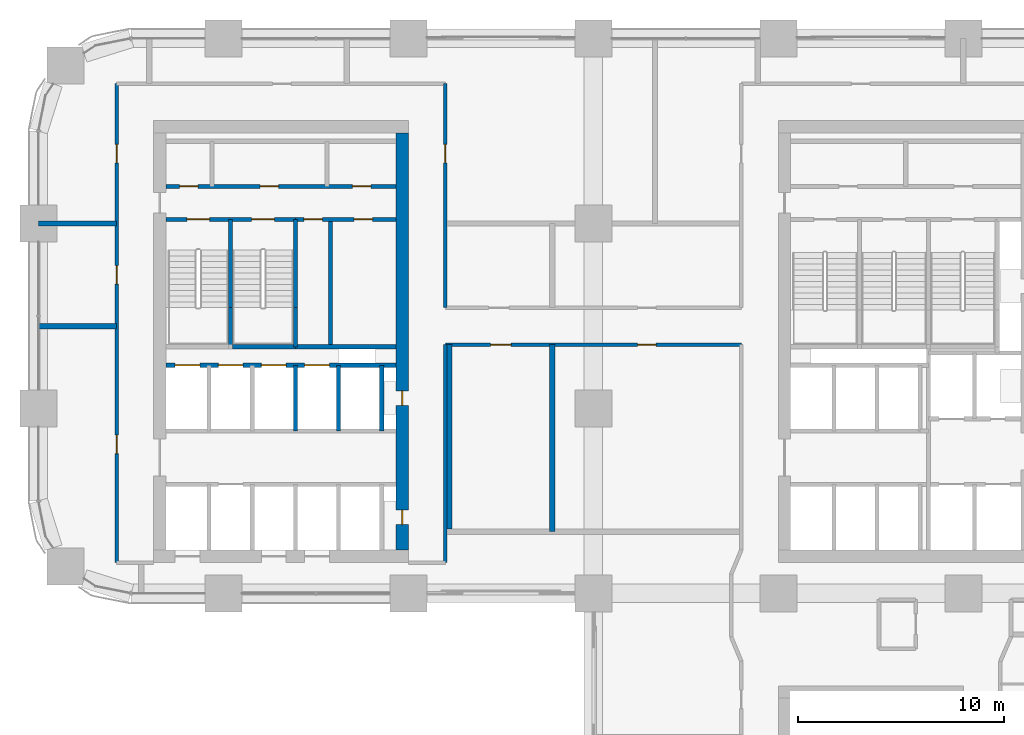
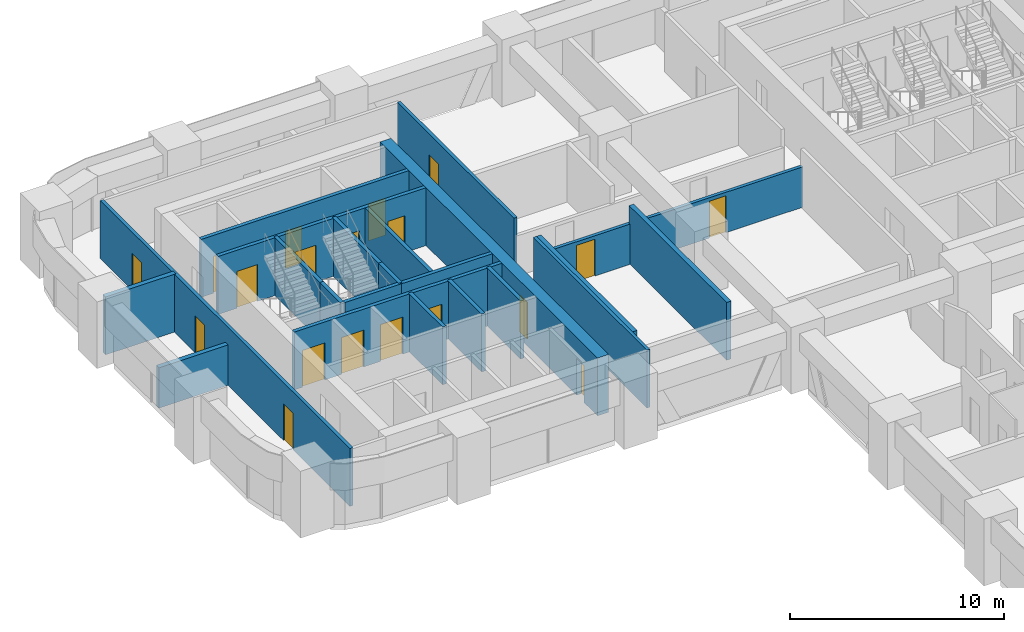
# One storey, part 15 of 20: 23 walls, 19 doors, 19 openings.
"""IFC4 building model written with IfcOpenShell, lengths in metres."""

import ifcopenshell
import ifcopenshell.guid

model = None  # the IFC model being written
_history = None  # IfcOwnerHistory: only IFC2X3 demands one
_inside = {}  # id of a spatial element -> (the spatial element, [elements in it])
_under = {}  # id of a project, library or spatial element -> (it, [spatial elements below it])
_declared = {}  # id of a project -> (the project, [libraries it declares])
_typed = {}  # id of a type object -> (the type object, [elements of that type])
_made_of = {}  # id of a material, layer set ... -> (it, [elements and type objects made of it])


def new_model(schema):
    """Start an empty IFC model of exactly this schema.

    Asked for "IFC4X3", IfcOpenShell would pick the latest addendum, in which some entities
    have other attributes; the version numbers below select the first issue.
    IFC2X3 requires an IfcOwnerHistory on every rooted entity: one is made here for all.
    """
    global model, _history
    if schema == "IFC4X3":
        model = ifcopenshell.file(schema_version=(4, 3, 0, 0))
    else:
        model = ifcopenshell.file(schema=schema)
    _inside.clear()
    _under.clear()
    _declared.clear()
    _typed.clear()
    _made_of.clear()
    _history = None
    if model.schema == "IFC2X3":
        org = make("IfcOrganization", Name="unknown")
        user = make(
            "IfcPersonAndOrganization",
            ThePerson=make("IfcPerson", FamilyName="unknown"),
            TheOrganization=org,
        )
        app = make(
            "IfcApplication",
            ApplicationDeveloper=org,
            Version="unknown",
            ApplicationFullName="unknown",
            ApplicationIdentifier="unknown",
        )
        _history = make(
            "IfcOwnerHistory",
            OwningUser=user,
            OwningApplication=app,
            ChangeAction="ADDED",
            CreationDate=0,
        )
    return model


def make(cls, **values):
    """One entity of the class cls with the attributes given. An attribute that is None is left unset."""
    return model.create_entity(
        cls, **{name: value for name, value in values.items() if value is not None}
    )


def rooted(cls, **values):
    """An entity with a GlobalId (a new one), such as an element, a storey or a relation."""
    return make(cls, GlobalId=ifcopenshell.guid.new(), OwnerHistory=_history, **values)


def si_unit(unit_type, name, prefix=None):
    """IfcSIUnit, for example si_unit("LENGTHUNIT", "METRE", prefix="MILLI")."""
    return make("IfcSIUnit", UnitType=unit_type, Prefix=prefix, Name=name)


def assignment(units):
    """IfcUnitAssignment: the units of a project."""
    return None if units is None else make("IfcUnitAssignment", Units=units)


def point(xyz):
    """IfcCartesianPoint."""
    return None if xyz is None else make("IfcCartesianPoint", Coordinates=xyz)


def direction(xyz):
    """IfcDirection."""
    return None if xyz is None else make("IfcDirection", DirectionRatios=xyz)


def frame(location, z_axis=None, x_axis=None):
    """IfcAxis2Placement3D, a coordinate frame: its origin and axes. An axis left out is left unset."""
    return make(
        "IfcAxis2Placement3D",
        Location=point(location),
        Axis=direction(z_axis),
        RefDirection=direction(x_axis),
    )


def frame_2d(location, x_axis=None):
    """IfcAxis2Placement2D, a coordinate frame in the plane: its origin and x axis."""
    return make(
        "IfcAxis2Placement2D", Location=point(location), RefDirection=direction(x_axis)
    )


def origin():
    """The frame at (0, 0, 0) with its axes left unset."""
    return frame((0.0, 0.0, 0.0))


def place(relative_to, where):
    """IfcLocalPlacement: puts the frame where relative to a parent placement (None: the world)."""
    return make(
        "IfcLocalPlacement", PlacementRelTo=relative_to, RelativePlacement=where
    )


def context(
    kind, dimensions, precision=None, world=None, true_north=None, identifier=None
):
    """IfcGeometricRepresentationContext, for example the 3D "Model" context."""
    return make(
        "IfcGeometricRepresentationContext",
        ContextIdentifier=identifier,
        ContextType=kind,
        CoordinateSpaceDimension=dimensions,
        Precision=precision,
        WorldCoordinateSystem=world,
        TrueNorth=true_north,
    )


def subcontext(parent, identifier, kind, view, scale=None):
    """IfcGeometricRepresentationSubContext, for example "Body" below "Model"."""
    return make(
        "IfcGeometricRepresentationSubContext",
        ContextIdentifier=identifier,
        ContextType=kind,
        ParentContext=parent,
        TargetScale=scale,
        TargetView=view,
    )


def project(units=None, contexts=None):
    """IfcProject with its units and contexts."""
    return rooted(
        "IfcProject",
        Name="project",
        RepresentationContexts=contexts,
        UnitsInContext=assignment(units),
    )


def spatial(cls, under=None, at=None, **own):
    """A site, building, storey or space (cls), placed at a placement, below another one or the project."""
    s = rooted(cls, ObjectPlacement=at, **own)
    if under is not None:
        _under.setdefault(under.id(), (under, []))[1].append(s)
    return s


def profile(cls, at=None, kind="AREA", **sizes):
    """A parametric profile (cls). Its sizes go by their IFC names, for example OverallWidth=200.0."""
    return make(cls, ProfileType=kind, Position=at, **sizes)


def rectangle(**sizes):
    """IfcRectangleProfileDef."""
    return profile("IfcRectangleProfileDef", **sizes)


def extrude(swept, where, along, depth):
    """IfcExtrudedAreaSolid: the profile swept, set in the frame where, extruded along a direction by depth."""
    return make(
        "IfcExtrudedAreaSolid",
        SweptArea=swept,
        Position=where,
        ExtrudedDirection=direction(along),
        Depth=depth,
    )


def shape(context_of_items, identifier, shape_type, items):
    """IfcShapeRepresentation: the items that make up one representation, for example the "Body"."""
    return make(
        "IfcShapeRepresentation",
        ContextOfItems=context_of_items,
        RepresentationIdentifier=identifier,
        RepresentationType=shape_type,
        Items=items,
    )


def material(Name=None, Category=None):
    """IfcMaterial."""
    return make("IfcMaterial", Name=Name, Category=Category)


def layer(
    of_material, thickness, ventilated=None, Name=None, Category=None, Priority=None
):
    """IfcMaterialLayer: one layer of a wall or slab, of a material (None: an air gap)."""
    return make(
        "IfcMaterialLayer",
        Material=of_material,
        LayerThickness=thickness,
        IsVentilated=ventilated,
        Name=Name,
        Category=Category,
        Priority=Priority,
    )


def layer_set(layers, Name=None):
    """IfcMaterialLayerSet."""
    return make("IfcMaterialLayerSet", MaterialLayers=layers, LayerSetName=Name)


def made_of(thing, what):
    """Note that an element or type object is made of a material, layer set ...; save() writes the relation."""
    if what is not None:
        _made_of.setdefault(what.id(), (what, []))[1].append(thing)
    return thing


def type_object(cls, material=None, **own):
    """A type object (cls), such as IfcWallType, which elements share."""
    return made_of(rooted(cls, **own), material)


def element(
    cls,
    number,
    at=None,
    inside=None,
    cuts=None,
    type_object=None,
    material=None,
    context=None,
    identifier="Body",
    shape_type=None,
    held_by="IfcProductDefinitionShape",
    body=None,
    shapes=None,
    **own,
):
    """One element of the class cls, such as IfcWall. Its Tag is "e" and its number.

    at: its placement. inside: the storey or other place that contains it. cuts: it is an
    opening in that element (IfcRelVoidsElement). A single representation is given by context,
    identifier, shape_type and body (its items); several are given by shapes. held_by: the class
    of the entity that holds the representations. save() writes the other relations.
    """
    e = rooted(cls, Tag="e%d" % number, ObjectPlacement=at, **own)
    if body is not None:
        shapes = [shape(context, identifier, shape_type, body)]
    if shapes is not None:
        e.Representation = make(held_by, Representations=shapes)
    if inside is not None:
        _inside.setdefault(inside.id(), (inside, []))[1].append(e)
    if cuts is not None:
        rooted(
            "IfcRelVoidsElement", RelatingBuildingElement=cuts, RelatedOpeningElement=e
        )
    if type_object is not None:
        _typed.setdefault(type_object.id(), (type_object, []))[1].append(e)
    return made_of(e, material)


def fill(opening, filler):
    """IfcRelFillsElement: the door or window that sits in an opening."""
    return rooted(
        "IfcRelFillsElement",
        RelatingOpeningElement=opening,
        RelatedBuildingElement=filler,
    )


def aggregate(whole, parts):
    """IfcRelAggregates: a whole, such as a stair, and the parts it consists of."""
    return rooted("IfcRelAggregates", RelatingObject=whole, RelatedObjects=parts)


def save(model, path):
    """Write the relations noted so far, then the file.

    IfcRelAggregates (storeys below a building ...), IfcRelContainedInSpatialStructure (elements
    in a storey), IfcRelDefinesByType, IfcRelAssociatesMaterial and IfcRelDeclares: one each for
    every whole, place, type object, material and project.
    """
    for whole, parts in _under.values():
        aggregate(whole, parts)
    for where, things in _inside.values():
        rooted(
            "IfcRelContainedInSpatialStructure",
            RelatedElements=things,
            RelatingStructure=where,
        )
    for kind, things in _typed.values():
        rooted("IfcRelDefinesByType", RelatedObjects=things, RelatingType=kind)
    for what, things in _made_of.values():
        rooted("IfcRelAssociatesMaterial", RelatedObjects=things, RelatingMaterial=what)
    for by, libraries in _declared.values():
        rooted("IfcRelDeclares", RelatingContext=by, RelatedDefinitions=libraries)
    model.write(path)


model = new_model("IFC4")

# Units and contexts
model_context = context("Model", 3, precision=1e-05, world=origin(), true_north=direction((0.0, 1.0)))
body_context = subcontext(model_context, "Body", "Model", "MODEL_VIEW")
ifc_project = project(units=[si_unit("LENGTHUNIT", "METRE"), si_unit("AREAUNIT", "SQUARE_METRE"), si_unit("VOLUMEUNIT", "CUBIC_METRE"), si_unit("PLANEANGLEUNIT", "RADIAN"), si_unit("MASSUNIT", "GRAM", prefix="KILO")], contexts=[model_context])

# Site, building, storey
site_placement = place(None, origin())
site = spatial("IfcSite", under=ifc_project, at=site_placement, CompositionType="ELEMENT")
building_placement = place(site_placement, origin())
building = spatial("IfcBuilding", under=site, at=building_placement, Name="Tessera Arch", CompositionType="ELEMENT")
storey_placement = place(building_placement, frame((0.0, 0.0, 119.60009765625)))
storey = spatial("IfcBuildingStorey", under=building, at=storey_placement, Name="L28", CompositionType="ELEMENT", Elevation=119.60009765625)

# Wall
ifc_material_1 = material(Name="Gypsum board on steel stud", Category="steel")
ifc_layer_1 = layer(ifc_material_1, 0.125)
ifc_layer_set_1 = layer_set([ifc_layer_1], Name="Core partition 125 EI 60")
wall_type_1 = type_object("IfcWallType", Name="Core partition 125 EI 60", PredefinedType="PARTITIONING", material=ifc_layer_set_1)
wall_1_placement = place(storey_placement, frame((14.215087890625, 39.0, 0.0), z_axis=(0.0, 0.0, 1.0), x_axis=(0.0, 1.0, 0.0)))
element("IfcWall", 1, at=wall_1_placement, inside=storey, type_object=wall_type_1, Name="L28 C2 partition wall 13", PredefinedType="PARTITIONING", context=body_context, shape_type="SweptSolid", body=[
    extrude(rectangle(XDim=6.199951171875, YDim=0.199951171875, at=frame_2d((3.10009765625, 0.0))), origin(), (0.0, 0.0, 1.0), 3.2998046875),
])

# Wall, openings, doors
wall_2_placement = place(storey_placement, frame((12.5, 45.199951171875, 0.0), z_axis=(0.0, 0.0, 1.0), x_axis=(1.0, 0.0, 0.0)))
wall_2 = element("IfcWall", 2, at=wall_2_placement, inside=storey, type_object=wall_type_1, Name="L28 C2 partition wall 25", PredefinedType="PARTITIONING", context=body_context, shape_type="SweptSolid", body=[
    extrude(rectangle(XDim=4.89990234375, YDim=0.199951171875, at=frame_2d((2.449951171875, 0.0))), origin(), (0.0, 0.0, 1.0), 3.2998046875),
])
opening_1_placement = place(wall_2_placement, frame((0.407470703125, 0.0, 0.0)))
opening_1 = element("IfcOpeningElement", 3, at=opening_1_placement, cuts=wall_2, Name="Opening L28-C31", PredefinedType="OPENING", context=body_context, shape_type="SweptSolid", body=[
    extrude(rectangle(XDim=0.89990234375, YDim=2.10009765625, at=frame_2d((0.449951171875, 1.050048828125))), frame((0.0, 0.10986328125, 0.0), z_axis=(0.0, -1.0, 0.0), x_axis=(1.0, 0.0, 0.0)), (0.0, 0.0, 1.0), 0.219970703125),
])
opening_2_placement = place(wall_2_placement, frame((2.857421875, 0.0, 0.0)))
opening_2 = element("IfcOpeningElement", 4, at=opening_2_placement, cuts=wall_2, Name="Opening L28-C32", PredefinedType="OPENING", context=body_context, shape_type="SweptSolid", body=[
    extrude(rectangle(XDim=0.89990234375, YDim=2.10009765625, at=frame_2d((0.449951171875, 1.050048828125))), frame((0.0, 0.10986328125, 0.0), z_axis=(0.0, -1.0, 0.0), x_axis=(1.0, 0.0, 0.0)), (0.0, 0.0, 1.0), 0.219970703125),
])
ifc_material_2 = material(Name="Steel door leaf", Category="steel")
door_type_1 = type_object("IfcDoorType", Name="Store door FD30S 900 x 2100", OperationType="SINGLE_SWING_LEFT", PredefinedType="DOOR", material=ifc_material_2)
door_1_placement = place(opening_1_placement, origin())
door_1 = element("IfcDoor", 5, at=door_1_placement, inside=storey, type_object=door_type_1, Name="L28 C2 door 18 C31 type D09", OperationType="SINGLE_SWING_LEFT", OverallHeight=2.10009765625, OverallWidth=0.89990234375, PredefinedType="DOOR", context=body_context, shape_type="SweptSolid", body=[
    extrude(rectangle(XDim=0.89990234375, YDim=2.10009765625, at=frame_2d((0.449951171875, 1.050048828125))), frame((0.0, 0.02490234375, 0.0), z_axis=(0.0, -1.0, 0.0), x_axis=(1.0, 0.0, 0.0)), (0.0, 0.0, 1.0), 0.050048828125),
])
fill(opening_1, door_1)
door_2_placement = place(opening_2_placement, origin())
door_2 = element("IfcDoor", 6, at=door_2_placement, inside=storey, type_object=door_type_1, Name="L28 C2 door 19 C32 type D09", OperationType="SINGLE_SWING_RIGHT", OverallHeight=2.10009765625, OverallWidth=0.89990234375, PredefinedType="DOOR", context=body_context, shape_type="SweptSolid", body=[
    extrude(rectangle(XDim=0.89990234375, YDim=2.10009765625, at=frame_2d((0.449951171875, 1.050048828125))), frame((0.0, 0.02490234375, 0.0), z_axis=(0.0, -1.0, 0.0), x_axis=(1.0, 0.0, 0.0)), (0.0, 0.0, 1.0), 0.050048828125),
])
fill(opening_2, door_2)

wall_3_placement = place(storey_placement, frame((6.199951171875, 46.800048828125, 0.0), z_axis=(0.0, 0.0, 1.0), x_axis=(1.0, 0.0, 0.0)))
wall_3 = element("IfcWall", 7, at=wall_3_placement, inside=storey, type_object=wall_type_1, Name="L28 C2 partition wall 27", PredefinedType="PARTITIONING", context=body_context, shape_type="SweptSolid", body=[
    extrude(rectangle(XDim=11.199951171875, YDim=0.199951171875, at=frame_2d((5.60009765625, 0.0))), origin(), (0.0, 0.0, 1.0), 3.2998046875),
])
opening_3_placement = place(wall_3_placement, frame((0.669921875, 0.0, 0.0)))
opening_3 = element("IfcOpeningElement", 8, at=opening_3_placement, cuts=wall_3, Name="Opening L28-C28", PredefinedType="OPENING", context=body_context, shape_type="SweptSolid", body=[
    extrude(rectangle(XDim=0.89990234375, YDim=2.10009765625, at=frame_2d((0.449951171875, 1.050048828125))), frame((0.0, 0.10986328125, 0.0), z_axis=(0.0, -1.0, 0.0), x_axis=(1.0, 0.0, 0.0)), (0.0, 0.0, 1.0), 0.219970703125),
])
opening_4_placement = place(wall_3_placement, frame((4.590087890625, 0.0, 0.0)))
opening_4 = element("IfcOpeningElement", 9, at=opening_4_placement, cuts=wall_3, Name="Opening L28-C29", PredefinedType="OPENING", context=body_context, shape_type="SweptSolid", body=[
    extrude(rectangle(XDim=0.89990234375, YDim=2.10009765625, at=frame_2d((0.449951171875, 1.050048828125))), frame((0.0, 0.10986328125, 0.0), z_axis=(0.0, -1.0, 0.0), x_axis=(1.0, 0.0, 0.0)), (0.0, 0.0, 1.0), 0.219970703125),
])
opening_5_placement = place(wall_3_placement, frame((9.070068359375, 0.0, 0.0)))
opening_5 = element("IfcOpeningElement", 10, at=opening_5_placement, cuts=wall_3, Name="Opening L28-C30", PredefinedType="OPENING", context=body_context, shape_type="SweptSolid", body=[
    extrude(rectangle(XDim=0.89990234375, YDim=2.10009765625, at=frame_2d((0.449951171875, 1.050048828125))), frame((0.0, 0.10986328125, 0.0), z_axis=(0.0, -1.0, 0.0), x_axis=(1.0, 0.0, 0.0)), (0.0, 0.0, 1.0), 0.219970703125),
])
door_3_placement = place(opening_3_placement, origin())
door_3 = element("IfcDoor", 11, at=door_3_placement, inside=storey, type_object=door_type_1, Name="L28 C2 door 15 C28 type D09", OperationType="SINGLE_SWING_LEFT", OverallHeight=2.10009765625, OverallWidth=0.89990234375, PredefinedType="DOOR", context=body_context, shape_type="SweptSolid", body=[
    extrude(rectangle(XDim=0.89990234375, YDim=2.10009765625, at=frame_2d((0.449951171875, 1.050048828125))), frame((0.0, 0.02490234375, 0.0), z_axis=(0.0, -1.0, 0.0), x_axis=(1.0, 0.0, 0.0)), (0.0, 0.0, 1.0), 0.050048828125),
])
fill(opening_3, door_3)
door_4_placement = place(opening_4_placement, origin())
door_4 = element("IfcDoor", 12, at=door_4_placement, inside=storey, type_object=door_type_1, Name="L28 C2 door 16 C29 type D09", OperationType="SINGLE_SWING_LEFT", OverallHeight=2.10009765625, OverallWidth=0.89990234375, PredefinedType="DOOR", context=body_context, shape_type="SweptSolid", body=[
    extrude(rectangle(XDim=0.89990234375, YDim=2.10009765625, at=frame_2d((0.449951171875, 1.050048828125))), frame((0.0, 0.02490234375, 0.0), z_axis=(0.0, -1.0, 0.0), x_axis=(1.0, 0.0, 0.0)), (0.0, 0.0, 1.0), 0.050048828125),
])
fill(opening_4, door_4)
door_5_placement = place(opening_5_placement, origin())
door_5 = element("IfcDoor", 13, at=door_5_placement, inside=storey, type_object=door_type_1, Name="L28 C2 door 17 C30 type D09", OperationType="SINGLE_SWING_RIGHT", OverallHeight=2.10009765625, OverallWidth=0.89990234375, PredefinedType="DOOR", context=body_context, shape_type="SweptSolid", body=[
    extrude(rectangle(XDim=0.89990234375, YDim=2.10009765625, at=frame_2d((0.449951171875, 1.050048828125))), frame((0.0, 0.02490234375, 0.0), z_axis=(0.0, -1.0, 0.0), x_axis=(1.0, 0.0, 0.0)), (0.0, 0.0, 1.0), 0.050048828125),
])
fill(opening_5, door_5)

ifc_material_3 = material(Name="Concrete C70/85", Category="concrete")
ifc_layer_2 = layer(ifc_material_3, 0.60009765625)
ifc_layer_set_2 = layer_set([ifc_layer_2], Name="Core shell wall 600 C70-85")
wall_type_2 = type_object("IfcWallType", Name="Core shell wall 600 C70-85", PredefinedType="SHEAR", material=ifc_layer_set_2)
wall_4_placement = place(storey_placement, frame((17.699951171875, 29.10009765625, 0.0), z_axis=(0.0, 0.0, 1.0), x_axis=(0.0, 1.0, 0.0)))
wall_4 = element("IfcWall", 14, at=wall_4_placement, inside=storey, type_object=wall_type_2, Name="L28 C2 core wall E", PredefinedType="SHEAR", context=body_context, shape_type="SweptSolid", body=[
    extrude(rectangle(XDim=20.2998046875, YDim=0.60009765625, at=frame_2d((10.14990234375, 0.0))), origin(), (0.0, 0.0, 1.0), 3.2998046875),
])
opening_6_placement = place(wall_4_placement, frame((1.25, 0.0, 0.0)))
opening_6 = element("IfcOpeningElement", 15, at=opening_6_placement, cuts=wall_4, Name="Opening L28-C22", PredefinedType="OPENING", context=body_context, shape_type="SweptSolid", body=[
    extrude(rectangle(XDim=0.699951171875, YDim=2.10009765625, at=frame_2d((0.35009765625, 1.050048828125))), frame((0.0, 0.31005859375, 0.0), z_axis=(0.0, -1.0, 0.0), x_axis=(1.0, 0.0, 0.0)), (0.0, 0.0, 1.0), 0.6201171875),
])
opening_7_placement = place(wall_4_placement, frame((7.050048828125, 0.0, 0.0)))
opening_7 = element("IfcOpeningElement", 16, at=opening_7_placement, cuts=wall_4, Name="Opening L28-C23", PredefinedType="OPENING", context=body_context, shape_type="SweptSolid", body=[
    extrude(rectangle(XDim=0.699951171875, YDim=2.10009765625, at=frame_2d((0.35009765625, 1.050048828125))), frame((0.0, 0.31005859375, 0.0), z_axis=(0.0, -1.0, 0.0), x_axis=(1.0, 0.0, 0.0)), (0.0, 0.0, 1.0), 0.6201171875),
])
ifc_material_4 = material(Name="Steel door leaf", Category="steel")
door_type_2 = type_object("IfcDoorType", Name="Service shaft door FD60 700 x 2100", OperationType="SINGLE_SWING_LEFT", PredefinedType="DOOR", material=ifc_material_4)
door_6_placement = place(opening_6_placement, origin())
door_6 = element("IfcDoor", 17, at=door_6_placement, inside=storey, type_object=door_type_2, Name="L28 C2 door 9 C22 type D07", OperationType="SINGLE_SWING_LEFT", OverallHeight=2.10009765625, OverallWidth=0.699951171875, PredefinedType="DOOR", context=body_context, shape_type="SweptSolid", body=[
    extrude(rectangle(XDim=0.699951171875, YDim=2.10009765625, at=frame_2d((0.35009765625, 1.050048828125))), frame((0.0, 0.02490234375, 0.0), z_axis=(0.0, -1.0, 0.0), x_axis=(1.0, 0.0, 0.0)), (0.0, 0.0, 1.0), 0.050048828125),
])
fill(opening_6, door_6)
door_7_placement = place(opening_7_placement, origin())
door_7 = element("IfcDoor", 18, at=door_7_placement, inside=storey, type_object=door_type_2, Name="L28 C2 door 10 C23 type D07", OperationType="SINGLE_SWING_LEFT", OverallHeight=2.10009765625, OverallWidth=0.699951171875, PredefinedType="DOOR", context=body_context, shape_type="SweptSolid", body=[
    extrude(rectangle(XDim=0.699951171875, YDim=2.10009765625, at=frame_2d((0.35009765625, 1.050048828125))), frame((0.0, 0.02490234375, 0.0), z_axis=(0.0, -1.0, 0.0), x_axis=(1.0, 0.0, 0.0)), (0.0, 0.0, 1.0), 0.050048828125),
])
fill(opening_7, door_7)

ifc_material_5 = material(Name="Gypsum board on deep steel stud with mineral wool", Category="steel")
ifc_layer_3 = layer(ifc_material_5, 0.175048828125)
ifc_layer_set_3 = layer_set([ifc_layer_3], Name="Corridor wall 175 EI 60")
wall_type_3 = type_object("IfcWallType", Name="Corridor wall 175 EI 60", PredefinedType="PARTITIONING", material=ifc_layer_set_3)
wall_5_placement = place(storey_placement, frame((19.800048828125, 39.10009765625, 0.0), z_axis=(0.0, 0.0, 1.0), x_axis=(1.0, 0.0, 0.0)))
wall_5 = element("IfcWall", 19, at=wall_5_placement, inside=storey, type_object=wall_type_3, Name="L28 partition 7", PredefinedType="PARTITIONING", context=body_context, shape_type="SweptSolid", body=[
    extrude(rectangle(XDim=14.39990234375, YDim=0.175048828125, at=frame_2d((7.199951171875, 0.0))), origin(), (0.0, 0.0, 1.0), 2.2998046875),
])
opening_8_placement = place(wall_5_placement, frame((2.199951171875, 0.0, 0.0)))
opening_8 = element("IfcOpeningElement", 20, at=opening_8_placement, cuts=wall_5, Name="Opening L28-D022", PredefinedType="OPENING", context=body_context, shape_type="SweptSolid", body=[
    extrude(rectangle(XDim=1.0, YDim=2.10009765625, at=frame_2d((0.5, 1.050048828125))), frame((0.0, 0.097412109375, 0.0), z_axis=(0.0, -1.0, 0.0), x_axis=(1.0, 0.0, 0.0)), (0.0, 0.0, 1.0), 0.195068359375),
])
opening_9_placement = place(wall_5_placement, frame((9.35009765625, 0.0, 0.0)))
opening_9 = element("IfcOpeningElement", 21, at=opening_9_placement, cuts=wall_5, Name="Opening L28-D023", PredefinedType="OPENING", context=body_context, shape_type="SweptSolid", body=[
    extrude(rectangle(XDim=0.89990234375, YDim=2.10009765625, at=frame_2d((0.449951171875, 1.050048828125))), frame((0.0, 0.097412109375, 0.0), z_axis=(0.0, -1.0, 0.0), x_axis=(1.0, 0.0, 0.0)), (0.0, 0.0, 1.0), 0.195068359375),
])
ifc_material_6 = material(Name="Fire-rated door leaf")
door_type_3 = type_object("IfcDoorType", Name="Entrance door FD30S 1000 x 2100", OperationType="SINGLE_SWING_LEFT", PredefinedType="DOOR", material=ifc_material_6)
door_8_placement = place(opening_8_placement, origin())
door_8 = element("IfcDoor", 22, at=door_8_placement, inside=storey, type_object=door_type_3, Name="L28 door D022 type D03", OperationType="SINGLE_SWING_RIGHT", OverallHeight=2.10009765625, OverallWidth=1.0, PredefinedType="DOOR", context=body_context, shape_type="SweptSolid", body=[
    extrude(rectangle(XDim=1.0, YDim=2.10009765625, at=frame_2d((0.5, 1.050048828125))), frame((0.0, 0.02490234375, 0.0), z_axis=(0.0, -1.0, 0.0), x_axis=(1.0, 0.0, 0.0)), (0.0, 0.0, 1.0), 0.050048828125),
])
fill(opening_8, door_8)
ifc_material_7 = material(Name="Timber door leaf", Category="wood")
door_type_4 = type_object("IfcDoorType", Name="Room door 900 x 2100", OperationType="SINGLE_SWING_LEFT", PredefinedType="DOOR", material=ifc_material_7)
door_9_placement = place(opening_9_placement, origin())
door_9 = element("IfcDoor", 23, at=door_9_placement, inside=storey, type_object=door_type_4, Name="L28 door D023 type D01", OperationType="SINGLE_SWING_LEFT", OverallHeight=2.10009765625, OverallWidth=0.89990234375, PredefinedType="DOOR", context=body_context, shape_type="SweptSolid", body=[
    extrude(rectangle(XDim=0.89990234375, YDim=2.10009765625, at=frame_2d((0.449951171875, 1.050048828125))), frame((0.0, 0.02490234375, 0.0), z_axis=(0.0, -1.0, 0.0), x_axis=(1.0, 0.0, 0.0)), (0.0, 0.0, 1.0), 0.050048828125),
])
fill(opening_9, door_9)

wall_6_placement = place(storey_placement, frame((3.800048828125, 28.5, 0.0), z_axis=(0.0, 0.0, 1.0), x_axis=(0.0, 1.0, 0.0)))
wall_6 = element("IfcWall", 24, at=wall_6_placement, inside=storey, type_object=wall_type_3, Name="L28 partition 11", PredefinedType="PARTITIONING", context=body_context, shape_type="SweptSolid", body=[
    extrude(rectangle(XDim=23.300048828125, YDim=0.175048828125, at=frame_2d((11.64990234375, 0.0))), origin(), (0.0, 0.0, 1.0), 3.2998046875),
])
opening_10_placement = place(wall_6_placement, frame((5.300048828125, 0.0, 0.0)))
opening_10 = element("IfcOpeningElement", 25, at=opening_10_placement, cuts=wall_6, Name="Opening L28-D021", PredefinedType="OPENING", context=body_context, shape_type="SweptSolid", body=[
    extrude(rectangle(XDim=0.89990234375, YDim=2.10009765625, at=frame_2d((0.449951171875, 1.050048828125))), frame((0.0, 0.097412109375, 0.0), z_axis=(0.0, -1.0, 0.0), x_axis=(1.0, 0.0, 0.0)), (0.0, 0.0, 1.0), 0.195068359375),
])
opening_11_placement = place(wall_6_placement, frame((13.550048828125, 0.0, 0.0)))
opening_11 = element("IfcOpeningElement", 26, at=opening_11_placement, cuts=wall_6, Name="Opening L28-D025", PredefinedType="OPENING", context=body_context, shape_type="SweptSolid", body=[
    extrude(rectangle(XDim=0.89990234375, YDim=2.10009765625, at=frame_2d((0.449951171875, 1.050048828125))), frame((0.0, 0.097412109375, 0.0), z_axis=(0.0, -1.0, 0.0), x_axis=(1.0, 0.0, 0.0)), (0.0, 0.0, 1.0), 0.195068359375),
])
opening_12_placement = place(wall_6_placement, frame((19.449951171875, 0.0, 0.0)))
opening_12 = element("IfcOpeningElement", 27, at=opening_12_placement, cuts=wall_6, Name="Opening L28-D028", PredefinedType="OPENING", context=body_context, shape_type="SweptSolid", body=[
    extrude(rectangle(XDim=0.89990234375, YDim=2.10009765625, at=frame_2d((0.449951171875, 1.050048828125))), frame((0.0, 0.097412109375, 0.0), z_axis=(0.0, -1.0, 0.0), x_axis=(1.0, 0.0, 0.0)), (0.0, 0.0, 1.0), 0.195068359375),
])
door_10_placement = place(opening_10_placement, origin())
door_10 = element("IfcDoor", 28, at=door_10_placement, inside=storey, type_object=door_type_4, Name="L28 door D021 type D01", OperationType="SINGLE_SWING_RIGHT", OverallHeight=2.10009765625, OverallWidth=0.89990234375, PredefinedType="DOOR", context=body_context, shape_type="SweptSolid", body=[
    extrude(rectangle(XDim=0.89990234375, YDim=2.10009765625, at=frame_2d((0.449951171875, 1.050048828125))), frame((0.0, 0.02490234375, 0.0), z_axis=(0.0, -1.0, 0.0), x_axis=(1.0, 0.0, 0.0)), (0.0, 0.0, 1.0), 0.050048828125),
])
fill(opening_10, door_10)
door_11_placement = place(opening_11_placement, origin())
door_11 = element("IfcDoor", 29, at=door_11_placement, inside=storey, type_object=door_type_4, Name="L28 door D025 type D01", OperationType="SINGLE_SWING_RIGHT", OverallHeight=2.10009765625, OverallWidth=0.89990234375, PredefinedType="DOOR", context=body_context, shape_type="SweptSolid", body=[
    extrude(rectangle(XDim=0.89990234375, YDim=2.10009765625, at=frame_2d((0.449951171875, 1.050048828125))), frame((0.0, 0.02490234375, 0.0), z_axis=(0.0, -1.0, 0.0), x_axis=(1.0, 0.0, 0.0)), (0.0, 0.0, 1.0), 0.050048828125),
])
fill(opening_11, door_11)
door_12_placement = place(opening_12_placement, origin())
door_12 = element("IfcDoor", 30, at=door_12_placement, inside=storey, type_object=door_type_4, Name="L28 door D028 type D01", OperationType="SINGLE_SWING_LEFT", OverallHeight=2.10009765625, OverallWidth=0.89990234375, PredefinedType="DOOR", context=body_context, shape_type="SweptSolid", body=[
    extrude(rectangle(XDim=0.89990234375, YDim=2.10009765625, at=frame_2d((0.449951171875, 1.050048828125))), frame((0.0, 0.02490234375, 0.0), z_axis=(0.0, -1.0, 0.0), x_axis=(1.0, 0.0, 0.0)), (0.0, 0.0, 1.0), 0.050048828125),
])
fill(opening_12, door_12)

# Wall
wall_7_placement = place(storey_placement, frame((19.800048828125, 28.5, 0.0), z_axis=(0.0, 0.0, 1.0), x_axis=(0.0, 1.0, 0.0)))
element("IfcWall", 31, at=wall_7_placement, inside=storey, type_object=wall_type_3, Name="L28 partition 12", PredefinedType="PARTITIONING", context=body_context, shape_type="SweptSolid", body=[
    extrude(rectangle(XDim=10.60009765625, YDim=0.175048828125, at=frame_2d((5.300048828125, 0.0))), origin(), (0.0, 0.0, 1.0), 3.2998046875),
])

# Wall, opening, door
wall_8_placement = place(storey_placement, frame((19.800048828125, 40.89990234375, 0.0), z_axis=(0.0, 0.0, 1.0), x_axis=(0.0, 1.0, 0.0)))
wall_8 = element("IfcWall", 32, at=wall_8_placement, inside=storey, type_object=wall_type_3, Name="L28 partition 13", PredefinedType="PARTITIONING", context=body_context, shape_type="SweptSolid", body=[
    extrude(rectangle(XDim=10.900146484375, YDim=0.175048828125, at=frame_2d((5.4501953125, 0.0))), origin(), (0.0, 0.0, 1.0), 3.2998046875),
])
opening_13_placement = place(wall_8_placement, frame((7.050048828125, 0.0, 0.0)))
opening_13 = element("IfcOpeningElement", 33, at=opening_13_placement, cuts=wall_8, Name="Opening L28-D030", PredefinedType="OPENING", context=body_context, shape_type="SweptSolid", body=[
    extrude(rectangle(XDim=0.89990234375, YDim=2.10009765625, at=frame_2d((0.449951171875, 1.050048828125))), frame((0.0, 0.097412109375, 0.0), z_axis=(0.0, -1.0, 0.0), x_axis=(1.0, 0.0, 0.0)), (0.0, 0.0, 1.0), 0.195068359375),
])
door_13_placement = place(opening_13_placement, origin())
door_13 = element("IfcDoor", 34, at=door_13_placement, inside=storey, type_object=door_type_4, Name="L28 door D030 type D01", OperationType="SINGLE_SWING_RIGHT", OverallHeight=2.10009765625, OverallWidth=0.89990234375, PredefinedType="DOOR", context=body_context, shape_type="SweptSolid", body=[
    extrude(rectangle(XDim=0.89990234375, YDim=2.10009765625, at=frame_2d((0.449951171875, 1.050048828125))), frame((0.0, 0.02490234375, 0.0), z_axis=(0.0, -1.0, 0.0), x_axis=(1.0, 0.0, 0.0)), (0.0, 0.0, 1.0), 0.050048828125),
])
fill(opening_13, door_13)

# Walls
ifc_material_8 = material(Name="Double gypsum board on twin steel stud with acoustic mineral wool", Category="steel")
ifc_layer_4 = layer(ifc_material_8, 0.25)
ifc_layer_set_4 = layer_set([ifc_layer_4], Name="Party wall 250 EI 60")
wall_type_4 = type_object("IfcWallType", Name="Party wall 250 EI 60", PredefinedType="PARTITIONING", material=ifc_layer_set_4)
wall_9_placement = place(storey_placement, frame((0.0, 40.0, 0.0), z_axis=(0.0, 0.0, 1.0), x_axis=(1.0, 0.0, 0.0)))
element("IfcWall", 35, at=wall_9_placement, inside=storey, type_object=wall_type_4, Name="L28 partition 36", PredefinedType="PARTITIONING", context=body_context, shape_type="SweptSolid", body=[
    extrude(rectangle(XDim=3.800048828125, YDim=0.25, at=frame_2d((1.89990234375, 0.0))), origin(), (0.0, 0.0, 1.0), 2.2998046875),
])
wall_10_placement = place(storey_placement, frame((0.0, 45.0, 0.0), z_axis=(0.0, 0.0, 1.0), x_axis=(1.0, 0.0, 0.0)))
element("IfcWall", 36, at=wall_10_placement, inside=storey, type_object=wall_type_4, Name="L28 partition 37", PredefinedType="PARTITIONING", context=body_context, shape_type="SweptSolid", body=[
    extrude(rectangle(XDim=3.800048828125, YDim=0.25, at=frame_2d((1.89990234375, 0.0))), origin(), (0.0, 0.0, 1.0), 3.2998046875),
])
wall_11_placement = place(storey_placement, frame((20.0, 30.125, 0.0), z_axis=(0.0, 0.0, 1.0), x_axis=(0.0, 1.0, 0.0)))
element("IfcWall", 37, at=wall_11_placement, inside=storey, type_object=wall_type_4, Name="L28 partition 43", PredefinedType="PARTITIONING", context=body_context, shape_type="SweptSolid", body=[
    extrude(rectangle(XDim=8.97509765625, YDim=0.25, at=frame_2d((4.487548828125, 0.0))), origin(), (0.0, 0.0, 1.0), 3.2998046875),
])
wall_12_placement = place(storey_placement, frame((25.0, 30.0, 0.0), z_axis=(0.0, 0.0, 1.0), x_axis=(0.0, 1.0, 0.0)))
element("IfcWall", 38, at=wall_12_placement, inside=storey, type_object=wall_type_4, Name="L28 partition 44", PredefinedType="PARTITIONING", context=body_context, shape_type="SweptSolid", body=[
    extrude(rectangle(XDim=9.10009765625, YDim=0.25, at=frame_2d((4.550048828125, 0.0))), origin(), (0.0, 0.0, 1.0), 3.2998046875),
])
ifc_material_9 = material(Name="Concrete C40/50", Category="concrete")
ifc_layer_5 = layer(ifc_material_9, 0.199951171875)
ifc_layer_set_5 = layer_set([ifc_layer_5], Name="Shaft wall 200 EI 120")
wall_type_5 = type_object("IfcWallType", Name="Shaft wall 200 EI 120", PredefinedType="SOLIDWALL", material=ifc_layer_set_5)
for number, where, z_axis, x_axis, name in (
    (39, (12.5, 34.89990234375, 0.0), (0.0, 0.0, 1.0), (0.0, 1.0, 0.0), "L28 C2 shaft wall 9"),
    (40, (14.60009765625, 34.89990234375, 0.0), (0.0, 0.0, 1.0), (0.0, 1.0, 0.0), "L28 C2 shaft wall 15"),
    (41, (16.699951171875, 34.89990234375, 0.0), (0.0, 0.0, 1.0), (0.0, 1.0, 0.0), "L28 C2 shaft wall 17"),
):
    element("IfcWall", number, at=place(storey_placement, frame(where, z_axis=z_axis, x_axis=x_axis)), inside=storey, type_object=wall_type_5, Name=name, PredefinedType="SOLIDWALL", context=body_context, shape_type="SweptSolid", body=[
        extrude(rectangle(XDim=3.2001953125, YDim=0.199951171875, at=frame_2d((1.60009765625, 0.0))), origin(), (0.0, 0.0, 1.0), 3.2998046875),
    ])

# Wall, openings, doors
wall_13_placement = place(storey_placement, frame((6.199951171875, 38.10009765625, 0.0), z_axis=(0.0, 0.0, 1.0), x_axis=(1.0, 0.0, 0.0)))
wall_13 = element("IfcWall", 42, at=wall_13_placement, inside=storey, type_object=wall_type_5, Name="L28 C2 shaft wall 20", PredefinedType="SOLIDWALL", context=body_context, shape_type="SweptSolid", body=[
    extrude(rectangle(XDim=11.199951171875, YDim=0.199951171875, at=frame_2d((5.60009765625, 0.0))), origin(), (0.0, 0.0, 1.0), 3.2998046875),
])
opening_14_placement = place(wall_13_placement, frame((0.449951171875, 0.0, 0.0)))
opening_14 = element("IfcOpeningElement", 43, at=opening_14_placement, cuts=wall_13, Name="Opening L28-C18", PredefinedType="OPENING", context=body_context, shape_type="SweptSolid", body=[
    extrude(rectangle(XDim=1.199951171875, YDim=2.10009765625, at=frame_2d((0.60009765625, 1.050048828125))), frame((0.0, 0.10986328125, 0.0), z_axis=(0.0, -1.0, 0.0), x_axis=(1.0, 0.0, 0.0)), (0.0, 0.0, 1.0), 0.219970703125),
])
opening_15_placement = place(wall_13_placement, frame((2.550048828125, 0.0, 0.0)))
opening_15 = element("IfcOpeningElement", 44, at=opening_15_placement, cuts=wall_13, Name="Opening L28-C19", PredefinedType="OPENING", context=body_context, shape_type="SweptSolid", body=[
    extrude(rectangle(XDim=1.199951171875, YDim=2.10009765625, at=frame_2d((0.60009765625, 1.050048828125))), frame((0.0, 0.10986328125, 0.0), z_axis=(0.0, -1.0, 0.0), x_axis=(1.0, 0.0, 0.0)), (0.0, 0.0, 1.0), 0.219970703125),
])
opening_16_placement = place(wall_13_placement, frame((4.64990234375, 0.0, 0.0)))
opening_16 = element("IfcOpeningElement", 45, at=opening_16_placement, cuts=wall_13, Name="Opening L28-C20", PredefinedType="OPENING", context=body_context, shape_type="SweptSolid", body=[
    extrude(rectangle(XDim=1.199951171875, YDim=2.10009765625, at=frame_2d((0.60009765625, 1.050048828125))), frame((0.0, 0.10986328125, 0.0), z_axis=(0.0, -1.0, 0.0), x_axis=(1.0, 0.0, 0.0)), (0.0, 0.0, 1.0), 0.219970703125),
])
opening_17_placement = place(wall_13_placement, frame((6.75, 0.0, 0.0)))
opening_17 = element("IfcOpeningElement", 46, at=opening_17_placement, cuts=wall_13, Name="Opening L28-C21", PredefinedType="OPENING", context=body_context, shape_type="SweptSolid", body=[
    extrude(rectangle(XDim=1.199951171875, YDim=2.10009765625, at=frame_2d((0.60009765625, 1.050048828125))), frame((0.0, 0.10986328125, 0.0), z_axis=(0.0, -1.0, 0.0), x_axis=(1.0, 0.0, 0.0)), (0.0, 0.0, 1.0), 0.219970703125),
])
ifc_material_10 = material(Name="Stainless steel AISI 304", Category="steel")
door_type_5 = type_object("IfcDoorType", Name="Sliding landing door 1200 x 2100", OperationType="SLIDING_TO_LEFT", PredefinedType="DOOR", material=ifc_material_10)
door_14_placement = place(opening_14_placement, origin())
door_14 = element("IfcDoor", 47, at=door_14_placement, inside=storey, type_object=door_type_5, Name="L28 LR5 lift landing door C18 type LD", OperationType="SLIDING_TO_LEFT", OverallHeight=2.10009765625, OverallWidth=1.199951171875, PredefinedType="DOOR", context=body_context, shape_type="SweptSolid", body=[
    extrude(rectangle(XDim=1.199951171875, YDim=2.10009765625, at=frame_2d((0.60009765625, 1.050048828125))), frame((0.0, 0.02490234375, 0.0), z_axis=(0.0, -1.0, 0.0), x_axis=(1.0, 0.0, 0.0)), (0.0, 0.0, 1.0), 0.050048828125),
])
fill(opening_14, door_14)
door_15_placement = place(opening_15_placement, origin())
door_15 = element("IfcDoor", 48, at=door_15_placement, inside=storey, type_object=door_type_5, Name="L28 LR6 lift landing door C19 type LD", OperationType="SLIDING_TO_LEFT", OverallHeight=2.10009765625, OverallWidth=1.199951171875, PredefinedType="DOOR", context=body_context, shape_type="SweptSolid", body=[
    extrude(rectangle(XDim=1.199951171875, YDim=2.10009765625, at=frame_2d((0.60009765625, 1.050048828125))), frame((0.0, 0.02490234375, 0.0), z_axis=(0.0, -1.0, 0.0), x_axis=(1.0, 0.0, 0.0)), (0.0, 0.0, 1.0), 0.050048828125),
])
fill(opening_15, door_15)
door_16_placement = place(opening_16_placement, origin())
door_16 = element("IfcDoor", 49, at=door_16_placement, inside=storey, type_object=door_type_5, Name="L28 LR7 lift landing door C20 type LD", OperationType="SLIDING_TO_LEFT", OverallHeight=2.10009765625, OverallWidth=1.199951171875, PredefinedType="DOOR", context=body_context, shape_type="SweptSolid", body=[
    extrude(rectangle(XDim=1.199951171875, YDim=2.10009765625, at=frame_2d((0.60009765625, 1.050048828125))), frame((0.0, 0.02490234375, 0.0), z_axis=(0.0, -1.0, 0.0), x_axis=(1.0, 0.0, 0.0)), (0.0, 0.0, 1.0), 0.050048828125),
])
fill(opening_16, door_16)
door_17_placement = place(opening_17_placement, origin())
door_17 = element("IfcDoor", 50, at=door_17_placement, inside=storey, type_object=door_type_5, Name="L28 LR8 lift landing door C21 type LD", OperationType="SLIDING_TO_LEFT", OverallHeight=2.10009765625, OverallWidth=1.199951171875, PredefinedType="DOOR", context=body_context, shape_type="SweptSolid", body=[
    extrude(rectangle(XDim=1.199951171875, YDim=2.10009765625, at=frame_2d((0.60009765625, 1.050048828125))), frame((0.0, 0.02490234375, 0.0), z_axis=(0.0, -1.0, 0.0), x_axis=(1.0, 0.0, 0.0)), (0.0, 0.0, 1.0), 0.050048828125),
])
fill(opening_17, door_17)

# Walls
wall_14_placement = place(storey_placement, frame((12.5, 39.0, 0.0), z_axis=(0.0, 0.0, 1.0), x_axis=(1.0, 0.0, 0.0)))
element("IfcWall", 51, at=wall_14_placement, inside=storey, type_object=wall_type_5, Name="L28 C2 shaft wall 21", PredefinedType="SOLIDWALL", context=body_context, shape_type="SweptSolid", body=[
    extrude(rectangle(XDim=4.89990234375, YDim=0.199951171875, at=frame_2d((2.449951171875, 0.0))), origin(), (0.0, 0.0, 1.0), 3.2998046875),
])
ifc_material_11 = material(Name="Concrete C40/50", Category="concrete")
ifc_layer_6 = layer(ifc_material_11, 0.199951171875)
ifc_layer_set_6 = layer_set([ifc_layer_6], Name="Stair well wall 200 REI 180")
wall_type_6 = type_object("IfcWallType", Name="Stair well wall 200 REI 180", PredefinedType="SOLIDWALL", material=ifc_layer_set_6)
wall_15_placement = place(storey_placement, frame((9.35009765625, 39.0, 0.0), z_axis=(0.0, 0.0, 1.0), x_axis=(0.0, 1.0, 0.0)))
element("IfcWall", 52, at=wall_15_placement, inside=storey, type_object=wall_type_6, Name="L28 C2 shaft wall 4", PredefinedType="SOLIDWALL", context=body_context, shape_type="SweptSolid", body=[
    extrude(rectangle(XDim=1.89990234375, YDim=0.199951171875, at=frame_2d((0.949951171875, 0.0))), origin(), (0.0, 0.0, 1.0), 3.2998046875),
])
wall_16_placement = place(storey_placement, frame((9.35009765625, 40.89990234375, 0.0), z_axis=(0.0, 0.0, 1.0), x_axis=(0.0, 1.0, 0.0)))
element("IfcWall", 53, at=wall_16_placement, inside=storey, type_object=wall_type_6, Name="L28 C2 shaft wall 5", PredefinedType="SOLIDWALL", context=body_context, shape_type="SweptSolid", body=[
    extrude(rectangle(XDim=4.300048828125, YDim=0.199951171875, at=frame_2d((2.14990234375, 0.0))), origin(), (0.0, 0.0, 1.0), 3.2998046875),
])
wall_17_placement = place(storey_placement, frame((12.5, 39.0, 0.0), z_axis=(0.0, 0.0, 1.0), x_axis=(0.0, 1.0, 0.0)))
element("IfcWall", 54, at=wall_17_placement, inside=storey, type_object=wall_type_6, Name="L28 C2 shaft wall 10", PredefinedType="SOLIDWALL", context=body_context, shape_type="SweptSolid", body=[
    extrude(rectangle(XDim=1.89990234375, YDim=0.199951171875, at=frame_2d((0.949951171875, 0.0))), origin(), (0.0, 0.0, 1.0), 3.2998046875),
])
wall_18_placement = place(storey_placement, frame((12.5, 40.89990234375, 0.0), z_axis=(0.0, 0.0, 1.0), x_axis=(0.0, 1.0, 0.0)))
element("IfcWall", 55, at=wall_18_placement, inside=storey, type_object=wall_type_6, Name="L28 C2 shaft wall 11", PredefinedType="SOLIDWALL", context=body_context, shape_type="SweptSolid", body=[
    extrude(rectangle(XDim=4.300048828125, YDim=0.199951171875, at=frame_2d((2.14990234375, 0.0))), origin(), (0.0, 0.0, 1.0), 3.2998046875),
])
wall_19_placement = place(storey_placement, frame((9.449951171875, 39.0, 0.0), z_axis=(0.0, 0.0, 1.0), x_axis=(1.0, 0.0, 0.0)))
element("IfcWall", 56, at=wall_19_placement, inside=storey, type_object=wall_type_6, Name="L28 C2 shaft wall 24", PredefinedType="SOLIDWALL", context=body_context, shape_type="SweptSolid", body=[
    extrude(rectangle(XDim=3.050048828125, YDim=0.199951171875, at=frame_2d((1.52490234375, 0.0))), origin(), (0.0, 0.0, 1.0), 3.2998046875),
])

# Wall, openings, doors
wall_20_placement = place(storey_placement, frame((6.199951171875, 45.199951171875, 0.0), z_axis=(0.0, 0.0, 1.0), x_axis=(1.0, 0.0, 0.0)))
wall_20 = element("IfcWall", 57, at=wall_20_placement, inside=storey, type_object=wall_type_6, Name="L28 C2 shaft wall 26", PredefinedType="SOLIDWALL", context=body_context, shape_type="SweptSolid", body=[
    extrude(rectangle(XDim=6.300048828125, YDim=0.199951171875, at=frame_2d((3.14990234375, 0.0))), origin(), (0.0, 0.0, 1.0), 3.2998046875),
])
opening_18_placement = place(wall_20_placement, frame((1.02490234375, 0.0, 0.0)))
opening_18 = element("IfcOpeningElement", 58, at=opening_18_placement, cuts=wall_20, Name="Opening L28-C25", PredefinedType="OPENING", context=body_context, shape_type="SweptSolid", body=[
    extrude(rectangle(XDim=1.10009765625, YDim=2.10009765625, at=frame_2d((0.550048828125, 1.050048828125))), frame((0.0, 0.10986328125, 0.0), z_axis=(0.0, -1.0, 0.0), x_axis=(1.0, 0.0, 0.0)), (0.0, 0.0, 1.0), 0.219970703125),
])
opening_19_placement = place(wall_20_placement, frame((4.175048828125, 0.0, 0.0)))
opening_19 = element("IfcOpeningElement", 59, at=opening_19_placement, cuts=wall_20, Name="Opening L28-C26", PredefinedType="OPENING", context=body_context, shape_type="SweptSolid", body=[
    extrude(rectangle(XDim=1.10009765625, YDim=2.10009765625, at=frame_2d((0.550048828125, 1.050048828125))), frame((0.0, 0.10986328125, 0.0), z_axis=(0.0, -1.0, 0.0), x_axis=(1.0, 0.0, 0.0)), (0.0, 0.0, 1.0), 0.219970703125),
])
ifc_material_12 = material(Name="Steel door leaf", Category="steel")
door_type_6 = type_object("IfcDoorType", Name="Stair door FD60 1100 x 2100", OperationType="SINGLE_SWING_LEFT", PredefinedType="DOOR", material=ifc_material_12)
door_18_placement = place(opening_18_placement, origin())
door_18 = element("IfcDoor", 60, at=door_18_placement, inside=storey, type_object=door_type_6, Name="L28 C2 door 12 C25 type D05", OperationType="SINGLE_SWING_LEFT", OverallHeight=2.10009765625, OverallWidth=1.10009765625, PredefinedType="DOOR", context=body_context, shape_type="SweptSolid", body=[
    extrude(rectangle(XDim=1.10009765625, YDim=2.10009765625, at=frame_2d((0.550048828125, 1.050048828125))), frame((0.0, 0.02490234375, 0.0), z_axis=(0.0, -1.0, 0.0), x_axis=(1.0, 0.0, 0.0)), (0.0, 0.0, 1.0), 0.050048828125),
])
fill(opening_18, door_18)
door_19_placement = place(opening_19_placement, origin())
door_19 = element("IfcDoor", 61, at=door_19_placement, inside=storey, type_object=door_type_6, Name="L28 C2 door 13 C26 type D05", OperationType="SINGLE_SWING_RIGHT", OverallHeight=2.10009765625, OverallWidth=1.10009765625, PredefinedType="DOOR", context=body_context, shape_type="SweptSolid", body=[
    extrude(rectangle(XDim=1.10009765625, YDim=2.10009765625, at=frame_2d((0.550048828125, 1.050048828125))), frame((0.0, 0.02490234375, 0.0), z_axis=(0.0, -1.0, 0.0), x_axis=(1.0, 0.0, 0.0)), (0.0, 0.0, 1.0), 0.050048828125),
])
fill(opening_19, door_19)

save(model, "model.ifc")
